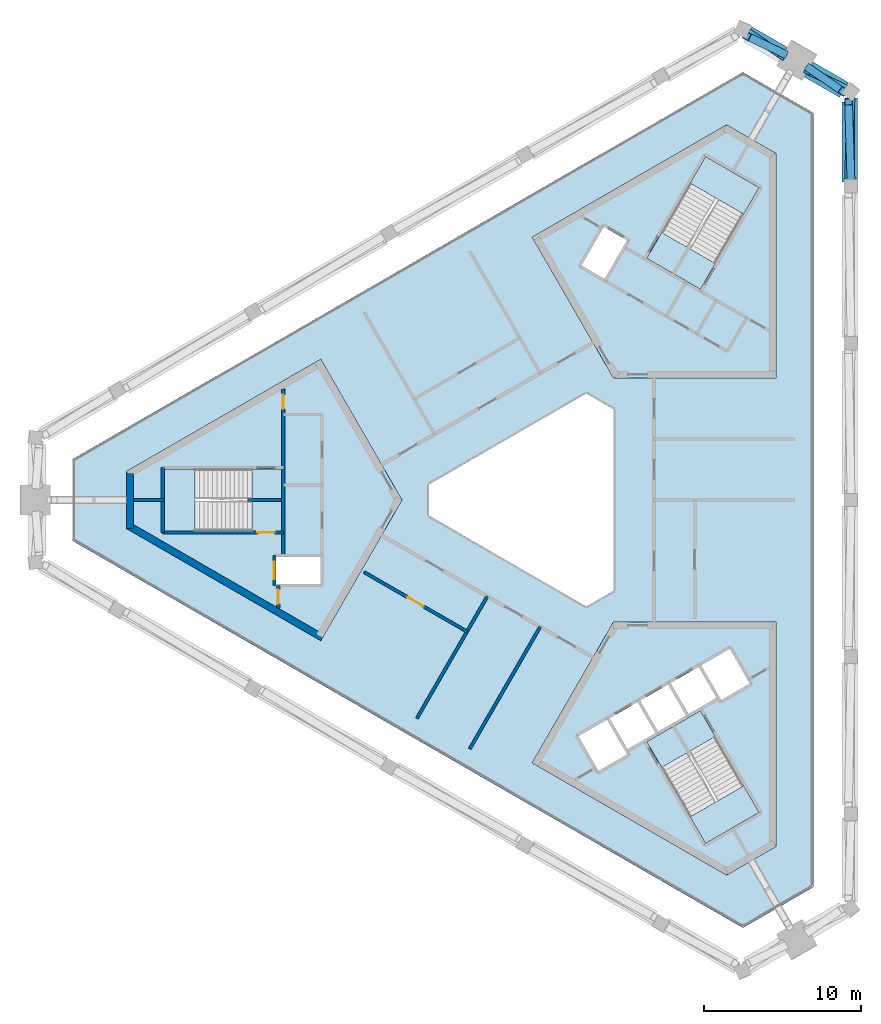
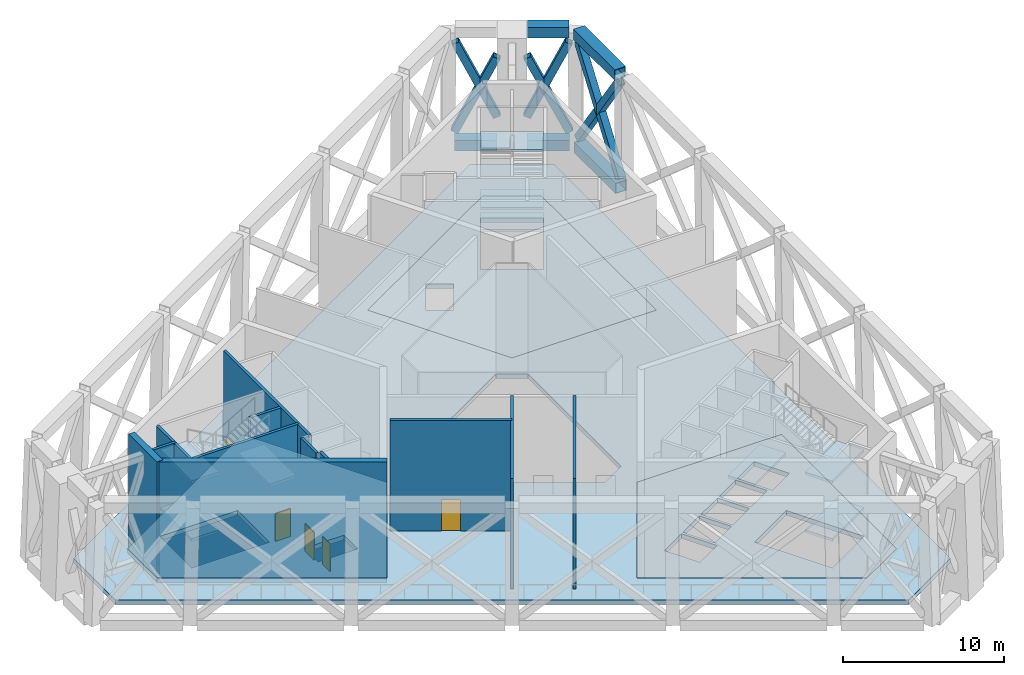
# One storey, part 3 of 8: 13 slabs, 12 walls, 11 members, 5 doors, 5 openings, 3 elements without a shape of their own.
"""IFC4 building model written with IfcOpenShell, lengths in metres."""

from ifc_helpers import new_model, si_unit, direction, frame, frame_2d, origin, origin_2d, place, context, subcontext, project, spatial, polyline, rectangle, hollow_rectangle, outline, extrude, material, layer, layer_set, material_profile, profile_set, type_object, element, fill, aggregate, save


model = new_model("IFC4")

# Units and contexts
model_context = context("Model", 3, precision=1e-05, world=origin(), true_north=direction((0.0, 1.0)))
body_context = subcontext(model_context, "Body", "Model", "MODEL_VIEW")
ifc_project = project(units=[si_unit("LENGTHUNIT", "METRE"), si_unit("AREAUNIT", "SQUARE_METRE"), si_unit("VOLUMEUNIT", "CUBIC_METRE"), si_unit("PLANEANGLEUNIT", "RADIAN"), si_unit("MASSUNIT", "GRAM", prefix="KILO")], contexts=[model_context])

# Site, building, storey
site_placement = place(None, origin())
site = spatial("IfcSite", under=ifc_project, at=site_placement, CompositionType="ELEMENT")
building_placement = place(site_placement, origin())
building = spatial("IfcBuilding", under=site, at=building_placement, Name="Jabali Bay Hotel Tower and Convention Centre", CompositionType="ELEMENT")
storey_placement = place(building_placement, frame((0.0, 0.0, 246.5)))
storey = spatial("IfcBuildingStorey", under=building, at=storey_placement, Name="L61", CompositionType="ELEMENT", Elevation=246.5)

# Members
ifc_material_1 = material(Name="Steel Q420GJC", Category="steel")
ifc_material_profile_1 = material_profile(ifc_material_1, hollow_rectangle(XDim=0.5, YDim=0.5, WallThickness=0.030029296875, at=origin_2d()), Name="Belt brace 500x500x30")
ifc_profile_set_1 = profile_set([ifc_material_profile_1], Name="Steel Q420GJC")
member_type_1 = type_object("IfcMemberType", Name="Belt brace 500x500x30", PredefinedType="BRACE", material=ifc_profile_set_1)
member_1_placement = place(storey_placement, frame((90.364990234375, 108.507080078125, 2.101806640625), z_axis=(-0.371680356969, 0.177494756748, 0.911235053963), x_axis=(-0.430930993462, -0.902384884001, 0.0)))
element("IfcMember", 1, at=member_1_placement, inside=storey, type_object=member_type_1, Name="Belt brace T5 M1-V2 x1", PredefinedType="BRACE", context=body_context, shape_type="SweptSolid", body=[
    extrude(hollow_rectangle(XDim=0.5, YDim=0.5, WallThickness=0.030029296875, at=origin_2d()), origin(), (0.0, 0.0, 1.0), 6.31884765625),
])
member_2_placement = place(storey_placement, frame((88.11572265625, 109.85302734375, 0.93408203125), z_axis=(0.341535966466, -0.234190596825, 0.910224119637), x_axis=(0.565519330962, 0.824735040063, 0.0)))
element("IfcMember", 2, at=member_2_placement, inside=storey, type_object=member_type_1, Name="Belt brace T5 M1-V2 x2", PredefinedType="BRACE", context=body_context, shape_type="SweptSolid", body=[
    extrude(hollow_rectangle(XDim=0.5, YDim=0.5, WallThickness=0.030029296875, at=origin_2d()), origin(), (0.0, 0.0, 1.0), 6.34765625),
])
member_3_placement = place(storey_placement, frame((94.666015625, 100.487060546875, 0.646240234375), z_axis=(-0.016873164901, 0.549179402556, 0.835534128636), x_axis=(-0.999528341915, -0.03070983081, 0.0)))
element("IfcMember", 3, at=member_3_placement, inside=storey, type_object=member_type_1, Name="Belt brace T5 F0.5-V1 x1", PredefinedType="BRACE", context=body_context, shape_type="SweptSolid", body=[
    extrude(hollow_rectangle(XDim=0.5, YDim=0.5, WallThickness=0.030029296875, at=origin_2d()), origin(), (0.0, 0.0, 1.0), 8.9853515625),
])
member_4_placement = place(storey_placement, frame((94.6669921875, 105.6767578125, 0.600341796875), z_axis=(-0.016466957052, -0.577549675219, 0.816189446134), x_axis=(0.999593787451, -0.028500176996, 0.0)))
element("IfcMember", 4, at=member_4_placement, inside=storey, type_object=member_type_1, Name="Belt brace T5 F0.5-V1 x2", PredefinedType="BRACE", context=body_context, shape_type="SweptSolid", body=[
    extrude(hollow_rectangle(XDim=0.5, YDim=0.5, WallThickness=0.030029296875, at=origin_2d()), origin(), (0.0, 0.0, 1.0), 9.310791015625),
])
member_5_placement = place(storey_placement, frame((94.295654296875, 106.28515625, 0.93408203125), z_axis=(-0.3736105827, 0.178651549994, 0.910219070433), x_axis=(-0.431393057332, -0.902164081576, 0.0)))
element("IfcMember", 5, at=member_5_placement, inside=storey, type_object=member_type_1, Name="Belt brace T5 V1-M1 x1", PredefinedType="BRACE", context=body_context, shape_type="SweptSolid", body=[
    extrude(hollow_rectangle(XDim=0.5, YDim=0.5, WallThickness=0.030029296875, at=origin_2d()), origin(), (0.0, 0.0, 1.0), 6.34765625),
])
member_6_placement = place(storey_placement, frame((92.00537109375, 107.559814453125, 2.101806640625), z_axis=(0.339575090932, -0.233093244236, 0.911238880377), x_axis=(0.565927521835, 0.824454995758, 0.0)))
element("IfcMember", 6, at=member_6_placement, inside=storey, type_object=member_type_1, Name="Belt brace T5 V1-M1 x2", PredefinedType="BRACE", context=body_context, shape_type="SweptSolid", body=[
    extrude(hollow_rectangle(XDim=0.5, YDim=0.5, WallThickness=0.030029296875, at=origin_2d()), origin(), (0.0, 0.0, 1.0), 6.31884765625),
])
ifc_material_profile_2 = material_profile(ifc_material_1, hollow_rectangle(XDim=0.800048828125, YDim=0.800048828125, WallThickness=0.0400390625, at=origin_2d()), Name="Belt chord 800x800x40")
ifc_profile_set_2 = profile_set([ifc_material_profile_2], Name="Steel Q420GJC")
member_type_2 = type_object("IfcMemberType", Name="Belt chord 800x800x40", PredefinedType="CHORD", material=ifc_profile_set_2)
member_7_placement = place(storey_placement, frame((90.3994140625, 108.572509765625, 0.0), z_axis=(-0.86602399778, 0.500002435262, 0.0), x_axis=(-0.500002435262, -0.86602399778, 0.0)))
element("IfcMember", 7, at=member_7_placement, inside=storey, type_object=member_type_2, Name="Belt chord T5 M1-V2", PredefinedType="CHORD", context=body_context, shape_type="SweptSolid", body=[
    extrude(hollow_rectangle(XDim=0.800048828125, YDim=0.800048828125, WallThickness=0.0400390625, at=origin_2d()), origin(), (0.0, 0.0, 1.0), 2.61669921875),
])
member_8_placement = place(storey_placement, frame((94.67919921875, 100.4873046875, 0.0), z_axis=(0.0, 1.0, 0.0), x_axis=(-1.0, 0.0, 0.0)))
element("IfcMember", 8, at=member_8_placement, inside=storey, type_object=member_type_2, Name="Belt chord T5 F0.5-V1", PredefinedType="CHORD", context=body_context, shape_type="SweptSolid", body=[
    extrude(hollow_rectangle(XDim=0.800048828125, YDim=0.800048828125, WallThickness=0.0400390625, at=origin_2d()), origin(), (0.0, 0.0, 1.0), 5.189453125),
])
member_9_placement = place(storey_placement, frame((94.31103515625, 106.314208984375, 0.0), z_axis=(-0.86602399778, 0.500002435262, 0.0), x_axis=(-0.500002435262, -0.86602399778, 0.0)))
element("IfcMember", 9, at=member_9_placement, inside=storey, type_object=member_type_2, Name="Belt chord T5 V1-M1", PredefinedType="CHORD", context=body_context, shape_type="SweptSolid", body=[
    extrude(hollow_rectangle(XDim=0.800048828125, YDim=0.800048828125, WallThickness=0.0400390625, at=origin_2d()), origin(), (0.0, 0.0, 1.0), 2.61669921875),
])
member_10_placement = place(storey_placement, frame((94.50146484375, 100.299560546875, 8.800048828125), z_axis=(0.0, 1.0, 0.0), x_axis=(-1.0, 0.0, 0.0)))
element("IfcMember", 10, at=member_10_placement, inside=storey, type_object=member_type_2, Name="Belt chord T5 F0.5-V1", PredefinedType="CHORD", context=body_context, shape_type="SweptSolid", body=[
    extrude(hollow_rectangle(XDim=0.800048828125, YDim=0.800048828125, WallThickness=0.0400390625, at=origin_2d()), origin(), (0.0, 0.0, 1.0), 5.121826171875),
])
member_11_placement = place(storey_placement, frame((94.13330078125, 106.058837890625, 8.800048828125), z_axis=(-0.866036488581, 0.499980800078, 0.0), x_axis=(-0.499980800078, -0.866036488581, 0.0)))
element("IfcMember", 11, at=member_11_placement, inside=storey, type_object=member_type_2, Name="Belt chord T5 V1-M1", PredefinedType="CHORD", context=body_context, shape_type="SweptSolid", body=[
    extrude(hollow_rectangle(XDim=0.800048828125, YDim=0.800048828125, WallThickness=0.0400390625, at=origin_2d()), origin(), (0.0, 0.0, 1.0), 2.59033203125),
])

# Slabs
ifc_material_2 = material(Name="Concrete C40", Category="concrete")
ifc_layer_1 = layer(ifc_material_2, 0.35009765625)
ifc_layer_set_1 = layer_set([ifc_layer_1], Name="Concrete C40")
slab_type_1 = type_object("IfcSlabType", Name="Core floor slab 350", PredefinedType="FLOOR", material=ifc_layer_set_1)
slab_1_placement = place(storey_placement, frame((0.0, 0.0, -0.35009765625)))
element("IfcSlab", 12, at=slab_1_placement, inside=storey, type_object=slab_type_1, Name="Core floor slab 1 L61", PredefinedType="FLOOR", context=body_context, shape_type="SweptSolid", body=[
    extrude(outline(polyline([(66.0, 80.0), (60.81005859375, 88.9892578125), (48.39697265625, 81.82275390625), (48.39697265625, 78.17724609375), (60.81005859375, 71.0107421875), (66.0, 80.0)]), holes=[polyline([(60.800048828125, 76.35009765625), (57.949951171875, 76.35009765625), (57.949951171875, 74.64990234375), (60.800048828125, 74.64990234375), (60.800048828125, 76.35009765625)]), polyline([(50.820068359375, 81.97509765625), (50.820068359375, 78.02490234375), (56.409912109375, 78.02490234375), (56.409912109375, 81.97509765625), (50.820068359375, 81.97509765625)])]), origin(), (0.0, 0.0, 1.0), 0.35009765625),
])
slab_2_placement = place(storey_placement, frame((0.0, 0.0, -0.35009765625)))
element("IfcSlab", 13, at=slab_2_placement, inside=storey, type_object=slab_type_1, Name="Core floor slab 2 L61", PredefinedType="FLOOR", context=body_context, shape_type="SweptSolid", body=[
    extrude(outline(polyline([(79.5, 87.794189453125), (89.8798828125, 87.794189453125), (89.8798828125, 102.127685546875), (86.72314453125, 103.9501953125), (74.31005859375, 96.78369140625), (79.5, 87.794189453125)]), holes=[polyline([(78.93896484375, 94.12255859375), (80.364013671875, 96.5908203125), (78.891845703125, 97.440673828125), (77.466796875, 94.97265625), (78.93896484375, 94.12255859375)]), polyline([(88.80029296875, 99.952880859375), (85.379638671875, 101.927978515625), (82.584716796875, 97.0869140625), (86.00537109375, 95.11181640625), (88.80029296875, 99.952880859375)])]), origin(), (0.0, 0.0, 1.0), 0.35009765625),
])
slab_3_placement = place(storey_placement, frame((0.0, 0.0, -0.35009765625)))
element("IfcSlab", 14, at=slab_3_placement, inside=storey, type_object=slab_type_1, Name="Core floor slab 3 L61", PredefinedType="FLOOR", context=body_context, shape_type="SweptSolid", body=[
    extrude(outline(polyline([(79.5, 72.205810546875), (74.31005859375, 63.21630859375), (86.72314453125, 56.0498046875), (89.8798828125, 57.872314453125), (89.8798828125, 72.205810546875), (79.5, 72.205810546875)]), holes=[polyline([(82.584716796875, 62.9130859375), (85.379638671875, 58.072021484375), (88.80029296875, 60.047119140625), (86.00537109375, 64.88818359375), (82.584716796875, 62.9130859375)]), polyline([(80.365478515625, 63.756591796875), (79.090576171875, 65.96484375), (77.27197265625, 64.9150390625), (78.546875, 62.70654296875), (80.365478515625, 63.756591796875)]), polyline([(82.17919921875, 65.115478515625), (81.0390625, 67.08984375), (79.263671875, 66.06494140625), (80.40380859375, 64.09033203125), (82.17919921875, 65.115478515625)]), polyline([(82.98779296875, 68.21484375), (81.21240234375, 67.18994140625), (82.352294921875, 65.21533203125), (84.127685546875, 66.240478515625), (82.98779296875, 68.21484375)]), polyline([(86.076171875, 67.365478515625), (84.936279296875, 69.33984375), (83.160888671875, 68.31494140625), (84.30078125, 66.34033203125), (86.076171875, 67.365478515625)]), polyline([(88.203125, 68.281494140625), (86.927978515625, 70.489990234375), (85.109375, 69.43994140625), (86.384521484375, 67.231689453125), (88.203125, 68.281494140625)])]), origin(), (0.0, 0.0, 1.0), 0.35009765625),
])
ifc_layer_2 = layer(ifc_material_2, 0.35009765625)
ifc_layer_set_2 = layer_set([ifc_layer_2], Name="Concrete C40")
slab_type_2 = type_object("IfcSlabType", Name="Post-tensioned flat slab 350", PredefinedType="FLOOR", material=ifc_layer_set_2)
slab_4_placement = place(storey_placement, frame((0.0, 0.0, -0.35009765625)))
element("IfcSlab", 15, at=slab_4_placement, inside=storey, type_object=slab_type_2, Name="Floor slab L61", PredefinedType="FLOOR", context=body_context, shape_type="SweptSolid", body=[
    extrude(outline(polyline([(87.76513671875, 107.322265625), (92.279052734375, 104.716064453125), (92.279052734375, 55.283935546875), (87.76513671875, 52.677734375), (44.955810546875, 77.393798828125), (44.955810546875, 82.606201171875), (87.76513671875, 107.322265625)]), holes=[polyline([(67.73193359375, 79.0), (77.76806640625, 73.205810546875), (79.5, 74.205810546875), (79.5, 85.794189453125), (77.76806640625, 86.794189453125), (67.73193359375, 81.0), (67.73193359375, 79.0)]), polyline([(48.39697265625, 78.17724609375), (60.81005859375, 71.0107421875), (66.0, 80.0), (60.81005859375, 88.9892578125), (48.39697265625, 81.82275390625), (48.39697265625, 78.17724609375)]), polyline([(89.8798828125, 102.127685546875), (86.72314453125, 103.9501953125), (74.31005859375, 96.78369140625), (79.5, 87.794189453125), (89.8798828125, 87.794189453125), (89.8798828125, 102.127685546875)]), polyline([(74.31005859375, 63.21630859375), (86.72314453125, 56.0498046875), (89.8798828125, 57.872314453125), (89.8798828125, 72.205810546875), (79.5, 72.205810546875), (74.31005859375, 63.21630859375)])]), origin(), (0.0, 0.0, 1.0), 0.35009765625),
])

# Stair, slabs
stair_type = type_object("IfcStairType", Name="Exit stair 1900", PredefinedType="HALF_TURN_STAIR", material=ifc_material_2)
stair_1_placement = place(storey_placement, origin())
stair_1 = element("IfcStair", 16, at=stair_1_placement, inside=storey, type_object=stair_type, Name="L61 Exit Stair 1", PredefinedType="HALF_TURN_STAIR")
ifc_layer_3 = layer(ifc_material_2, 0.199951171875)
ifc_layer_set_3 = layer_set([ifc_layer_3], Name="Concrete C40")
slab_type_3 = type_object("IfcSlabType", Name="Stair landing 200", PredefinedType="LANDING", material=ifc_layer_set_3)
slab_5_placement = place(storey_placement, frame((0.0, 0.0, 2.0)))
slab_5 = element("IfcSlab", 17, at=slab_5_placement, type_object=slab_type_3, Name="ST1 landing 1", PredefinedType="LANDING", context=body_context, shape_type="SweptSolid", body=[
    extrude(outline(polyline([(52.782958984375, 81.97509765625), (50.820068359375, 81.97509765625), (50.820068359375, 78.02490234375), (52.782958984375, 78.02490234375), (52.782958984375, 81.97509765625)])), origin(), (0.0, 0.0, 1.0), 0.199951171875),
])
slab_6_placement = place(storey_placement, frame((0.0, 0.0, 4.199951171875)))
slab_6 = element("IfcSlab", 18, at=slab_6_placement, type_object=slab_type_3, Name="ST1 landing 2", PredefinedType="LANDING", context=body_context, shape_type="SweptSolid", body=[
    extrude(outline(polyline([(58.320068359375, 81.97509765625), (56.4169921875, 81.97509765625), (56.4169921875, 78.02490234375), (58.320068359375, 78.02490234375), (58.320068359375, 81.97509765625)])), origin(), (0.0, 0.0, 1.0), 0.199951171875),
])
slab_7_placement = place(storey_placement, frame((0.0, 0.0, 6.39990234375)))
slab_7 = element("IfcSlab", 19, at=slab_7_placement, type_object=slab_type_3, Name="ST1 landing 3", PredefinedType="LANDING", context=body_context, shape_type="SweptSolid", body=[
    extrude(outline(polyline([(52.782958984375, 81.97509765625), (50.820068359375, 81.97509765625), (50.820068359375, 78.02490234375), (52.782958984375, 78.02490234375), (52.782958984375, 81.97509765625)])), origin(), (0.0, 0.0, 1.0), 0.2001953125),
])
aggregate(stair_1, [slab_5, slab_6, slab_7])

stair_2_placement = place(storey_placement, origin())
stair_2 = element("IfcStair", 20, at=stair_2_placement, inside=storey, type_object=stair_type, Name="L61 Exit Stair 2", PredefinedType="HALF_TURN_STAIR")
slab_8_placement = place(storey_placement, frame((0.0, 0.0, 2.0)))
slab_8 = element("IfcSlab", 21, at=slab_8_placement, type_object=slab_type_3, Name="ST2 landing 1", PredefinedType="LANDING", context=body_context, shape_type="SweptSolid", body=[
    extrude(outline(polyline([(87.81884765625, 98.2529296875), (88.80029296875, 99.952880859375), (85.379638671875, 101.927978515625), (84.398193359375, 100.22802734375), (87.81884765625, 98.2529296875)])), origin(), (0.0, 0.0, 1.0), 0.199951171875),
])
slab_9_placement = place(storey_placement, frame((0.0, 0.0, 4.199951171875)))
slab_9 = element("IfcSlab", 22, at=slab_9_placement, type_object=slab_type_3, Name="ST2 landing 2", PredefinedType="LANDING", context=body_context, shape_type="SweptSolid", body=[
    extrude(outline(polyline([(85.05029296875, 93.457763671875), (86.001953125, 95.10595703125), (82.5810546875, 97.080810546875), (81.629638671875, 95.432861328125), (85.05029296875, 93.457763671875)])), origin(), (0.0, 0.0, 1.0), 0.199951171875),
])
slab_10_placement = place(storey_placement, frame((0.0, 0.0, 6.39990234375)))
slab_10 = element("IfcSlab", 23, at=slab_10_placement, type_object=slab_type_3, Name="ST2 landing 3", PredefinedType="LANDING", context=body_context, shape_type="SweptSolid", body=[
    extrude(outline(polyline([(87.81884765625, 98.2529296875), (88.80029296875, 99.952880859375), (85.379638671875, 101.927978515625), (84.398193359375, 100.22802734375), (87.81884765625, 98.2529296875)])), origin(), (0.0, 0.0, 1.0), 0.2001953125),
])
aggregate(stair_2, [slab_8, slab_9, slab_10])

stair_3_placement = place(storey_placement, origin())
stair_3 = element("IfcStair", 24, at=stair_3_placement, inside=storey, type_object=stair_type, Name="L61 Exit Stair 3", PredefinedType="HALF_TURN_STAIR")
slab_11_placement = place(storey_placement, frame((0.0, 0.0, 2.0)))
slab_11 = element("IfcSlab", 25, at=slab_11_placement, type_object=slab_type_3, Name="ST3 landing 1", PredefinedType="LANDING", context=body_context, shape_type="SweptSolid", body=[
    extrude(outline(polyline([(84.398193359375, 59.77197265625), (85.379638671875, 58.072021484375), (88.80029296875, 60.047119140625), (87.81884765625, 61.7470703125), (84.398193359375, 59.77197265625)])), origin(), (0.0, 0.0, 1.0), 0.199951171875),
])
slab_12_placement = place(storey_placement, frame((0.0, 0.0, 4.199951171875)))
slab_12 = element("IfcSlab", 26, at=slab_12_placement, type_object=slab_type_3, Name="ST3 landing 2", PredefinedType="LANDING", context=body_context, shape_type="SweptSolid", body=[
    extrude(outline(polyline([(81.629638671875, 64.567138671875), (82.5810546875, 62.919189453125), (86.001953125, 64.89404296875), (85.05029296875, 66.542236328125), (81.629638671875, 64.567138671875)])), origin(), (0.0, 0.0, 1.0), 0.199951171875),
])
slab_13_placement = place(storey_placement, frame((0.0, 0.0, 6.39990234375)))
slab_13 = element("IfcSlab", 27, at=slab_13_placement, type_object=slab_type_3, Name="ST3 landing 3", PredefinedType="LANDING", context=body_context, shape_type="SweptSolid", body=[
    extrude(outline(polyline([(84.398193359375, 59.77197265625), (85.379638671875, 58.072021484375), (88.80029296875, 60.047119140625), (87.81884765625, 61.7470703125), (84.398193359375, 59.77197265625)])), origin(), (0.0, 0.0, 1.0), 0.2001953125),
])
aggregate(stair_3, [slab_11, slab_12, slab_13])

# Wall
ifc_layer_4 = layer(ifc_material_2, 0.199951171875)
ifc_layer_set_4 = layer_set([ifc_layer_4], Name="Concrete C40")
wall_type_1 = type_object("IfcWallType", Name="Core partition wall 200", PredefinedType="PARTITIONING", material=ifc_layer_set_4)
wall_1_placement = place(storey_placement, frame((50.820068359375, 80.0, 0.0), z_axis=(0.0, 0.0, 1.0), x_axis=(-1.0, 0.0, 0.0)))
element("IfcWall", 28, at=wall_1_placement, inside=storey, type_object=wall_type_1, Name="Core wall 0.4 L61", PredefinedType="PARTITIONING", context=body_context, shape_type="SweptSolid", body=[
    extrude(rectangle(XDim=1.97314453125, YDim=0.199951171875, at=frame_2d((0.986572265625, 0.0))), origin(), (0.0, 0.0, 1.0), 8.39990234375),
])

# Wall, opening, door
wall_2_placement = place(storey_placement, frame((58.10009765625, 74.550048828125, 0.0), z_axis=(0.0, 0.0, 1.0), x_axis=(0.0, -1.0, 0.0)))
wall_2 = element("IfcWall", 29, at=wall_2_placement, inside=storey, type_object=wall_type_1, Name="Core wall 0.10 L61", PredefinedType="PARTITIONING", context=body_context, shape_type="SweptSolid", body=[
    extrude(rectangle(XDim=1.455078125, YDim=0.199951171875, at=frame_2d((0.7275390625, 0.0))), origin(), (0.0, 0.0, 1.0), 8.39990234375),
])
opening_1_placement = place(wall_2_placement, frame((0.277587890625, 0.0, 0.0)))
opening_1 = element("IfcOpeningElement", 30, at=opening_1_placement, cuts=wall_2, Name="Opening D1333", PredefinedType="OPENING", context=body_context, shape_type="SweptSolid", body=[
    extrude(rectangle(XDim=0.89990234375, YDim=2.10009765625, at=frame_2d((0.449951171875, 1.050048828125))), frame((0.0, 0.1103515625, 0.0), z_axis=(0.0, -1.0, 0.0), x_axis=(1.0, 0.0, 0.0)), (0.0, 0.0, 1.0), 0.220947265625),
])
ifc_material_3 = material(Name="Fire-rated steel door", Category="steel")
door_type_1 = type_object("IfcDoorType", Name="Vestibule fire door 900 x 2100", OperationType="NOTDEFINED", PredefinedType="NOTDEFINED", material=ifc_material_3)
door_1_placement = place(opening_1_placement, origin())
door_1 = element("IfcDoor", 31, at=door_1_placement, inside=storey, type_object=door_type_1, Name="Vestibule fire door D1333", OperationType="SINGLE_SWING_LEFT", OverallHeight=2.10009765625, OverallWidth=0.89990234375, PredefinedType="NOTDEFINED", context=body_context, shape_type="SweptSolid", body=[
    extrude(rectangle(XDim=0.89990234375, YDim=2.10009765625, at=frame_2d((0.449951171875, 1.050048828125))), frame((0.0, 0.02490234375, 0.0), z_axis=(0.0, -1.0, 0.0), x_axis=(1.0, 0.0, 0.0)), (0.0, 0.0, 1.0), 0.050048828125),
])
fill(opening_1, door_1)

# Wall
ifc_layer_5 = layer(ifc_material_2, 0.199951171875)
ifc_layer_set_5 = layer_set([ifc_layer_5], Name="Concrete C40")
wall_type_2 = type_object("IfcWallType", Name="Core stair wall 200", PredefinedType="SOLIDWALL", material=ifc_layer_set_5)
wall_3_placement = place(storey_placement, frame((58.320068359375, 80.0, 0.0), z_axis=(0.0, 0.0, 1.0), x_axis=(-1.0, 0.0, 0.0)))
element("IfcWall", 32, at=wall_3_placement, inside=storey, type_object=wall_type_2, Name="Core wall 0.3 L61", PredefinedType="SOLIDWALL", context=body_context, shape_type="SweptSolid", body=[
    extrude(rectangle(XDim=2.199951171875, YDim=0.199951171875, at=frame_2d((1.10009765625, 0.0))), origin(), (0.0, 0.0, 1.0), 8.39990234375),
])

# Wall, opening, door
wall_4_placement = place(storey_placement, frame((58.419921875, 77.925048828125, 0.0), z_axis=(0.0, 0.0, 1.0), x_axis=(-1.0, 0.0, 0.0)))
wall_4 = element("IfcWall", 33, at=wall_4_placement, inside=storey, type_object=wall_type_2, Name="Core wall 0.5 L61", PredefinedType="SOLIDWALL", context=body_context, shape_type="SweptSolid", body=[
    extrude(rectangle(XDim=7.699951171875, YDim=0.199951171875, at=frame_2d((3.85009765625, 0.0))), origin(), (0.0, 0.0, 1.0), 8.39990234375),
])
opening_2_placement = place(wall_4_placement, frame((0.550048828125, 0.0, 0.0)))
opening_2 = element("IfcOpeningElement", 34, at=opening_2_placement, cuts=wall_4, Name="Opening D1335", PredefinedType="OPENING", context=body_context, shape_type="SweptSolid", body=[
    extrude(rectangle(XDim=1.10009765625, YDim=2.10009765625, at=frame_2d((0.550048828125, 1.050048828125))), frame((0.0, 0.1103515625, 0.0), z_axis=(0.0, -1.0, 0.0), x_axis=(1.0, 0.0, 0.0)), (0.0, 0.0, 1.0), 0.220947265625),
])
door_type_2 = type_object("IfcDoorType", Name="Stair fire door 1100 x 2100", OperationType="NOTDEFINED", PredefinedType="NOTDEFINED", material=ifc_material_3)
door_2_placement = place(opening_2_placement, origin())
door_2 = element("IfcDoor", 35, at=door_2_placement, inside=storey, type_object=door_type_2, Name="Stair fire door D1335", OperationType="SINGLE_SWING_RIGHT", OverallHeight=2.10009765625, OverallWidth=1.10009765625, PredefinedType="NOTDEFINED", context=body_context, shape_type="SweptSolid", body=[
    extrude(rectangle(XDim=1.10009765625, YDim=2.10009765625, at=frame_2d((0.550048828125, 1.050048828125))), frame((0.0, 0.02490234375, 0.0), z_axis=(0.0, -1.0, 0.0), x_axis=(1.0, 0.0, 0.0)), (0.0, 0.0, 1.0), 0.050048828125),
])
fill(opening_2, door_2)

wall_5_placement = place(storey_placement, frame((58.419921875, 87.08984375, 0.0), z_axis=(0.0, 0.0, 1.0), x_axis=(0.0, -1.0, 0.0)))
wall_5 = element("IfcWall", 36, at=wall_5_placement, inside=storey, type_object=wall_type_2, Name="Core wall 0.9 L61", PredefinedType="SOLIDWALL", context=body_context, shape_type="SweptSolid", body=[
    extrude(rectangle(XDim=10.639892578125, YDim=0.199951171875, at=frame_2d((5.31982421875, 0.0))), origin(), (0.0, 0.0, 1.0), 8.39990234375),
])
opening_3_placement = place(wall_5_placement, frame((0.369873046875, 0.0, 0.0)))
opening_3 = element("IfcOpeningElement", 37, at=opening_3_placement, cuts=wall_5, Name="Opening D1334", PredefinedType="OPENING", context=body_context, shape_type="SweptSolid", body=[
    extrude(rectangle(XDim=0.89990234375, YDim=2.10009765625, at=frame_2d((0.449951171875, 1.050048828125))), frame((0.0, 0.1103515625, 0.0), z_axis=(0.0, -1.0, 0.0), x_axis=(1.0, 0.0, 0.0)), (0.0, 0.0, 1.0), 0.220947265625),
])
door_3_placement = place(opening_3_placement, origin())
door_3 = element("IfcDoor", 38, at=door_3_placement, inside=storey, type_object=door_type_1, Name="Vestibule fire door D1334", OperationType="SINGLE_SWING_LEFT", OverallHeight=2.10009765625, OverallWidth=0.89990234375, PredefinedType="NOTDEFINED", context=body_context, shape_type="SweptSolid", body=[
    extrude(rectangle(XDim=0.89990234375, YDim=2.10009765625, at=frame_2d((0.449951171875, 1.050048828125))), frame((0.0, 0.02490234375, 0.0), z_axis=(0.0, -1.0, 0.0), x_axis=(1.0, 0.0, 0.0)), (0.0, 0.0, 1.0), 0.050048828125),
])
fill(opening_3, door_3)

wall_6_placement = place(storey_placement, frame((57.85009765625, 76.449951171875, 0.0), z_axis=(0.0, 0.0, 1.0), x_axis=(0.0, -1.0, 0.0)))
wall_6 = element("IfcWall", 39, at=wall_6_placement, inside=storey, type_object=wall_type_2, Name="Core wall 0.11 L61", PredefinedType="SOLIDWALL", context=body_context, shape_type="SweptSolid", body=[
    extrude(rectangle(XDim=1.89990234375, YDim=0.199951171875, at=frame_2d((0.949951171875, 0.0))), origin(), (0.0, 0.0, 1.0), 8.39990234375),
])
opening_4_placement = place(wall_6_placement, frame((0.39990234375, 0.0, 0.0)))
opening_4 = element("IfcOpeningElement", 40, at=opening_4_placement, cuts=wall_6, Name="Opening LD5-L61", PredefinedType="OPENING", context=body_context, shape_type="SweptSolid", body=[
    extrude(rectangle(XDim=1.10009765625, YDim=2.10009765625, at=frame_2d((0.550048828125, 1.050048828125))), frame((0.0, 0.1103515625, 0.0), z_axis=(0.0, -1.0, 0.0), x_axis=(1.0, 0.0, 0.0)), (0.0, 0.0, 1.0), 0.220947265625),
])
ifc_material_4 = material(Name="Stainless steel landing door", Category="steel")
door_type_3 = type_object("IfcDoorType", Name="Landing door 1100 x 2100", OperationType="NOTDEFINED", PredefinedType="NOTDEFINED", material=ifc_material_4)
door_4_placement = place(opening_4_placement, origin())
door_4 = element("IfcDoor", 41, at=door_4_placement, inside=storey, type_object=door_type_3, Name="Landing doors LD5-L61", OperationType="SLIDING_TO_RIGHT", OverallHeight=2.10009765625, OverallWidth=1.10009765625, PredefinedType="NOTDEFINED", context=body_context, shape_type="SweptSolid", body=[
    extrude(rectangle(XDim=1.10009765625, YDim=2.10009765625, at=frame_2d((0.550048828125, 1.050048828125))), frame((0.0, 0.02490234375, 0.0), z_axis=(0.0, -1.0, 0.0), x_axis=(1.0, 0.0, 0.0)), (0.0, 0.0, 1.0), 0.050048828125),
])
fill(opening_4, door_4)

# Walls
wall_7_placement = place(storey_placement, frame((50.719970703125, 82.074951171875, 0.0), z_axis=(0.0, 0.0, 1.0), x_axis=(0.0, -1.0, 0.0)))
element("IfcWall", 42, at=wall_7_placement, inside=storey, type_object=wall_type_2, Name="Core wall 0.12 L61", PredefinedType="SOLIDWALL", context=body_context, shape_type="SweptSolid", body=[
    extrude(rectangle(XDim=4.14990234375, YDim=0.199951171875, at=frame_2d((2.074951171875, 0.0))), origin(), (0.0, 0.0, 1.0), 8.39990234375),
])
ifc_material_5 = material(Name="Concrete C60", Category="concrete")
ifc_layer_6 = layer(ifc_material_5, 0.449951171875)
ifc_layer_set_6 = layer_set([ifc_layer_6], Name="Concrete C60")
wall_type_3 = type_object("IfcWallType", Name="Core wall 450", PredefinedType="SHEAR", material=ifc_layer_set_6)
wall_8_placement = place(storey_placement, frame((48.621826171875, 81.692626953125, 0.0), z_axis=(0.0, 0.0, 1.0), x_axis=(0.0, -1.0, 0.0)))
element("IfcWall", 43, at=wall_8_placement, inside=storey, type_object=wall_type_3, Name="Core wall 1.3 L61", PredefinedType="SHEAR", context=body_context, shape_type="SweptSolid", body=[
    extrude(rectangle(XDim=3.515380859375, YDim=0.449951171875, at=frame_2d((1.7578125, 0.0))), origin(), (0.0, 0.0, 1.0), 8.800048828125),
])
wall_9_placement = place(storey_placement, frame((48.621826171875, 78.307373046875, 0.0), z_axis=(0.0, 0.0, 1.0), x_axis=(0.86602701116, -0.499997215934, 0.0)))
element("IfcWall", 44, at=wall_9_placement, inside=storey, type_object=wall_type_3, Name="Core wall 1.4 L61", PredefinedType="SHEAR", context=body_context, shape_type="SweptSolid", body=[
    extrude(rectangle(XDim=14.20361328125, YDim=0.449951171875, at=frame_2d((7.101806640625, 0.0))), origin(), (0.0, 0.0, 1.0), 8.800048828125),
])
ifc_material_6 = material(Name="Plasterboard on steel stud", Category="steel")
ifc_layer_7 = layer(ifc_material_6, 0.199951171875)
ifc_layer_set_7 = layer_set([ifc_layer_7], Name="Plasterboard on steel stud")
wall_type_4 = type_object("IfcWallType", Name="Partition 200 plant", PredefinedType="PARTITIONING", material=ifc_layer_set_7)
wall_10_placement = place(storey_placement, frame((70.324951171875, 64.1083984375, 0.0), z_axis=(0.0, 0.0, 1.0), x_axis=(0.5000018851, 0.866024315419, 0.0)))
element("IfcWall", 45, at=wall_10_placement, inside=storey, type_object=wall_type_4, Name="Partition P04 L61 009", PredefinedType="PARTITIONING", context=body_context, shape_type="SweptSolid", body=[
    extrude(rectangle(XDim=9.0, YDim=0.199951171875, at=frame_2d((4.5, 0.0))), origin(), (0.0, 0.0, 1.0), 8.39990234375),
])

# Wall, opening, door
ifc_layer_8 = layer(ifc_material_6, 0.199951171875)
ifc_layer_set_8 = layer_set([ifc_layer_8], Name="Plasterboard on steel stud")
wall_type_5 = type_object("IfcWallType", Name="Partition 200 refuge", PredefinedType="PARTITIONING", material=ifc_layer_set_8)
wall_11_placement = place(storey_placement, frame((63.572265625, 75.397216796875, 0.0), z_axis=(0.0, 0.0, 1.0), x_axis=(0.866024999478, -0.500000700278, 0.0)))
wall_11 = element("IfcWall", 46, at=wall_11_placement, inside=storey, type_object=wall_type_5, Name="Partition P05 L61 007", PredefinedType="PARTITIONING", context=body_context, shape_type="SweptSolid", body=[
    extrude(rectangle(XDim=7.59521484375, YDim=0.199951171875, at=frame_2d((3.797607421875, 0.0))), origin(), (0.0, 0.0, 1.0), 8.39990234375),
])
opening_5_placement = place(wall_11_placement, frame((3.197998046875, 0.0, 0.0)))
opening_5 = element("IfcOpeningElement", 47, at=opening_5_placement, cuts=wall_11, Name="Opening 6110", PredefinedType="OPENING", context=body_context, shape_type="SweptSolid", body=[
    extrude(rectangle(XDim=1.199951171875, YDim=2.39990234375, at=frame_2d((0.60009765625, 1.199951171875))), frame((0.0, 0.1103515625, 0.0), z_axis=(0.0, -1.0, 0.0), x_axis=(1.0, 0.0, 0.0)), (0.0, 0.0, 1.0), 0.220947265625),
])
ifc_material_7 = material(Name="Steel Q355B", Category="steel")
door_type_4 = type_object("IfcDoorType", Name="Refuge hall door 1200 x 2400", OperationType="NOTDEFINED", PredefinedType="NOTDEFINED", material=ifc_material_7)
door_5_placement = place(opening_5_placement, origin())
door_5 = element("IfcDoor", 48, at=door_5_placement, inside=storey, type_object=door_type_4, Name="Door 6110", OperationType="SINGLE_SWING_RIGHT", OverallHeight=2.39990234375, OverallWidth=1.199951171875, PredefinedType="NOTDEFINED", context=body_context, shape_type="SweptSolid", body=[
    extrude(rectangle(XDim=1.199951171875, YDim=2.39990234375, at=frame_2d((0.60009765625, 1.199951171875))), frame((0.0, 0.02490234375, 0.0), z_axis=(0.0, -1.0, 0.0), x_axis=(1.0, 0.0, 0.0)), (0.0, 0.0, 1.0), 0.050048828125),
])
fill(opening_5, door_5)

# Wall
wall_12_placement = place(storey_placement, frame((66.949951171875, 66.056884765625, 0.0), z_axis=(0.0, 0.0, 1.0), x_axis=(0.499990139034, 0.866031096941, 0.0)))
element("IfcWall", 49, at=wall_12_placement, inside=storey, type_object=wall_type_5, Name="Partition P05 L61 008", PredefinedType="PARTITIONING", context=body_context, shape_type="SweptSolid", body=[
    extrude(rectangle(XDim=9.000244140625, YDim=0.199951171875, at=frame_2d((4.5, 0.0))), origin(), (0.0, 0.0, 1.0), 8.39990234375),
])

save(model, "model.ifc")
